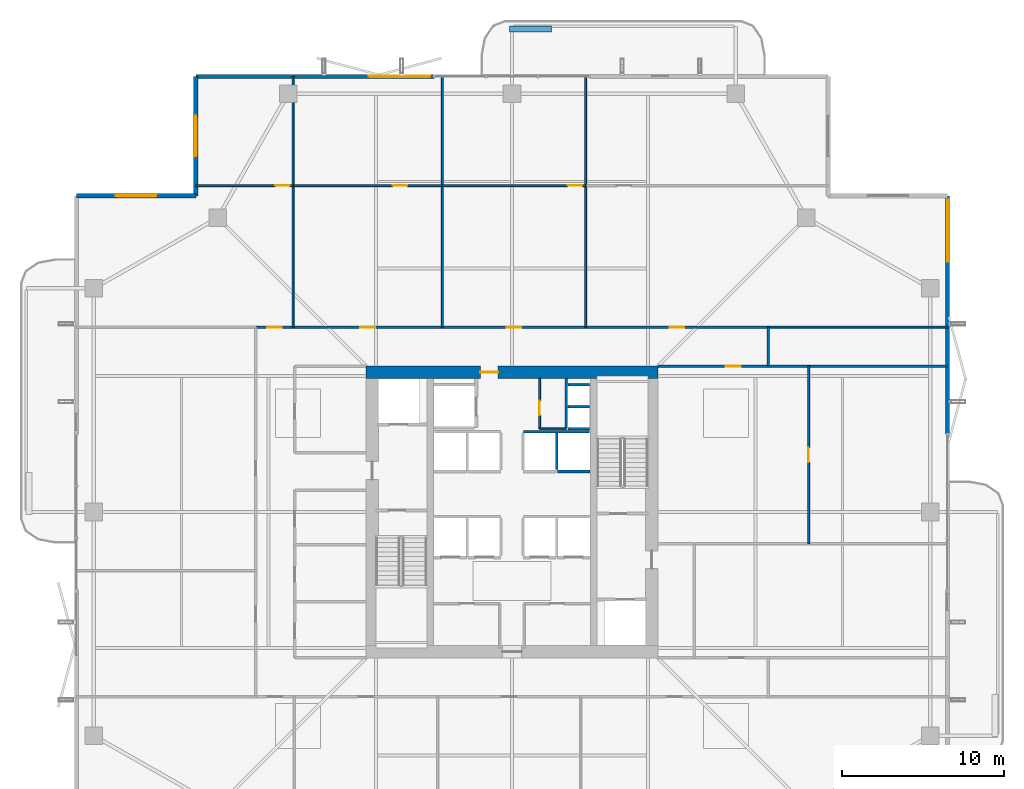
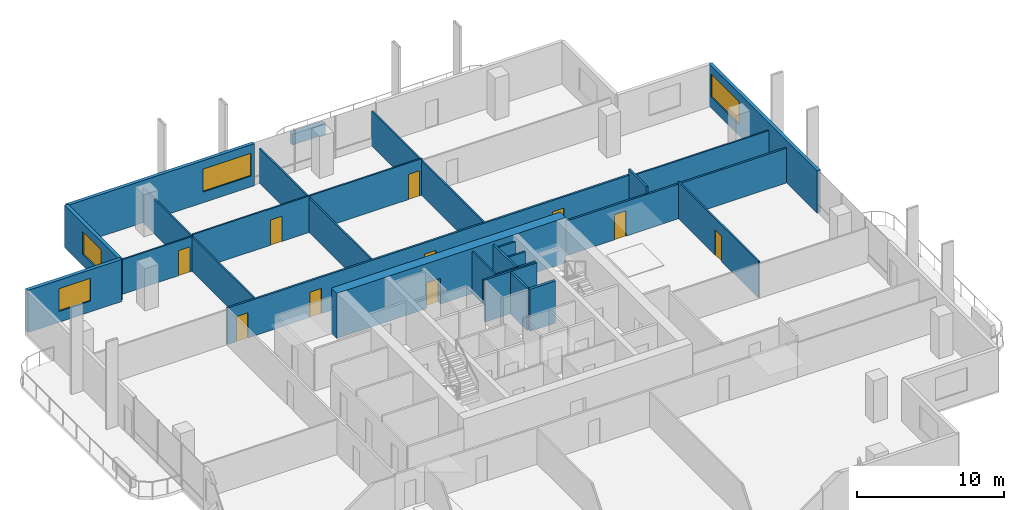
# One storey, part 19 of 24: 26 walls, 11 doors, 4 windows, 15 openings.
"""IFC4 building model written with IfcOpenShell, lengths in metres."""

from ifc_helpers import new_model, si_unit, direction, frame, frame_2d, origin, place, context, subcontext, project, spatial, rectangle, extrude, material, layer, layer_set, type_object, element, fill, save


model = new_model("IFC4")

# Units and contexts
model_context = context("Model", 3, precision=1e-05, world=origin(), true_north=direction((0.0, 1.0)))
body_context = subcontext(model_context, "Body", "Model", "MODEL_VIEW")
ifc_project = project(units=[si_unit("LENGTHUNIT", "METRE"), si_unit("AREAUNIT", "SQUARE_METRE"), si_unit("VOLUMEUNIT", "CUBIC_METRE"), si_unit("PLANEANGLEUNIT", "RADIAN"), si_unit("MASSUNIT", "GRAM", prefix="KILO")], contexts=[model_context])

# Site, building, storey
site_placement = place(None, origin())
site = spatial("IfcSite", under=ifc_project, at=site_placement, CompositionType="ELEMENT")
building_placement = place(site_placement, origin())
building = spatial("IfcBuilding", under=site, at=building_placement, Name="Belovzor Exchange Tower", CompositionType="ELEMENT")
storey_placement = place(building_placement, frame((0.0, 0.0, 218.699951171875)))
storey = spatial("IfcBuildingStorey", under=building, at=storey_placement, Name="L54", CompositionType="ELEMENT", Elevation=218.699951171875)

# Wall, opening, door
ifc_material_1 = material(Name="Acoustic Plasterboard on Galvanised Studs", Category="gypsum")
ifc_layer_1 = layer(ifc_material_1, 0.1201171875)
ifc_layer_set_1 = layer_set([ifc_layer_1], Name="Acoustic Plasterboard on Galvanised Studs")
wall_type_1 = type_object("IfcWallType", Name="Acoustic Double-Stud Partition Wall 120", PredefinedType="PARTITIONING", material=ifc_layer_set_1)
wall_1_placement = place(storey_placement, frame((9.300048828125, 48.93505859375, 0.0), z_axis=(0.0, 0.0, 1.0), x_axis=(1.0, 0.0, 0.0)))
wall_1 = element("IfcWall", 1, at=wall_1_placement, inside=storey, type_object=wall_type_1, Name="W-P120 Partition Wall W-L54-NHDIV-0", PredefinedType="PARTITIONING", context=body_context, shape_type="SweptSolid", body=[
    extrude(rectangle(XDim=6.0, YDim=0.1201171875, at=frame_2d((3.0, 0.0))), origin(), (0.0, 0.0, 1.0), 2.885009765625),
])
opening_1_placement = place(wall_1_placement, frame((4.89990234375, 0.0, 0.0)))
opening_1 = element("IfcOpeningElement", 2, at=opening_1_placement, cuts=wall_1, Name="Opening D-INT-090", PredefinedType="OPENING", context=body_context, shape_type="SweptSolid", body=[
    extrude(rectangle(XDim=0.89990234375, YDim=2.10009765625, at=frame_2d((0.449951171875, 1.050048828125))), frame((0.0, 0.070068359375, 0.0), z_axis=(0.0, -1.0, 0.0), x_axis=(1.0, 0.0, 0.0)), (0.0, 0.0, 1.0), 0.14013671875),
])
ifc_material_2 = material(Name="Veneered Hardwood Acoustic Leaf", Category="wood")
door_type_1 = type_object("IfcDoorType", Name="Trading Suite Acoustic Single Door 900x2100", OperationType="NOTDEFINED", PredefinedType="DOOR", material=ifc_material_2)
door_1_placement = place(opening_1_placement, origin())
door_1 = element("IfcDoor", 3, at=door_1_placement, inside=storey, type_object=door_type_1, Name="D-INT-090 Trading Suite Acoustic Single Door 900x2100", OperationType="SINGLE_SWING_RIGHT", OverallHeight=2.10009765625, OverallWidth=0.89990234375, PredefinedType="DOOR", context=body_context, shape_type="SweptSolid", body=[
    extrude(rectangle(XDim=0.89990234375, YDim=2.10009765625, at=frame_2d((0.449951171875, 1.050048828125))), frame((0.0, 0.02490234375, 0.0), z_axis=(0.0, -1.0, 0.0), x_axis=(1.0, 0.0, 0.0)), (0.0, 0.0, 1.0), 0.050048828125),
])
fill(opening_1, door_1)

# Wall
wall_2_placement = place(storey_placement, frame((15.300048828125, 40.199951171875, 0.0), z_axis=(0.0, 0.0, 1.0), x_axis=(0.0, 1.0, 0.0)))
element("IfcWall", 4, at=wall_2_placement, inside=storey, type_object=wall_type_1, Name="W-P120 Partition Wall W-L54-NDIV-1", PredefinedType="PARTITIONING", context=body_context, shape_type="SweptSolid", body=[
    extrude(rectangle(XDim=15.469970703125, YDim=0.1201171875, at=frame_2d((7.73486328125, 0.0))), origin(), (0.0, 0.0, 1.0), 2.885009765625),
])

# Wall, opening, door
wall_3_placement = place(storey_placement, frame((15.300048828125, 48.93505859375, 0.0), z_axis=(0.0, 0.0, 1.0), x_axis=(1.0, 0.0, 0.0)))
wall_3 = element("IfcWall", 5, at=wall_3_placement, inside=storey, type_object=wall_type_1, Name="W-P120 Partition Wall W-L54-NHDIV-1", PredefinedType="PARTITIONING", context=body_context, shape_type="SweptSolid", body=[
    extrude(rectangle(XDim=9.2080078125, YDim=0.1201171875, at=frame_2d((4.60400390625, 0.0))), origin(), (0.0, 0.0, 1.0), 3.03515625),
])
opening_2_placement = place(wall_3_placement, frame((6.131103515625, 0.0, 0.0)))
opening_2 = element("IfcOpeningElement", 6, at=opening_2_placement, cuts=wall_3, Name="Opening D-INT-090", PredefinedType="OPENING", context=body_context, shape_type="SweptSolid", body=[
    extrude(rectangle(XDim=0.89990234375, YDim=2.10009765625, at=frame_2d((0.449951171875, 1.050048828125))), frame((0.0, 0.070068359375, 0.0), z_axis=(0.0, -1.0, 0.0), x_axis=(1.0, 0.0, 0.0)), (0.0, 0.0, 1.0), 0.14013671875),
])
door_2_placement = place(opening_2_placement, origin())
door_2 = element("IfcDoor", 7, at=door_2_placement, inside=storey, type_object=door_type_1, Name="D-INT-090 Trading Suite Acoustic Single Door 900x2100", OperationType="SINGLE_SWING_RIGHT", OverallHeight=2.10009765625, OverallWidth=0.89990234375, PredefinedType="DOOR", context=body_context, shape_type="SweptSolid", body=[
    extrude(rectangle(XDim=0.89990234375, YDim=2.10009765625, at=frame_2d((0.449951171875, 1.050048828125))), frame((0.0, 0.02490234375, 0.0), z_axis=(0.0, -1.0, 0.0), x_axis=(1.0, 0.0, 0.0)), (0.0, 0.0, 1.0), 0.050048828125),
])
fill(opening_2, door_2)

# Wall
wall_4_placement = place(storey_placement, frame((24.508056640625, 40.199951171875, 0.0), z_axis=(0.0, 0.0, 1.0), x_axis=(0.0, 1.0, 0.0)))
element("IfcWall", 8, at=wall_4_placement, inside=storey, type_object=wall_type_1, Name="W-P120 Partition Wall W-L54-NDIV-2", PredefinedType="PARTITIONING", context=body_context, shape_type="SweptSolid", body=[
    extrude(rectangle(XDim=15.469970703125, YDim=0.1201171875, at=frame_2d((7.73486328125, 0.0))), origin(), (0.0, 0.0, 1.0), 2.885009765625),
])

# Wall, opening, door
wall_5_placement = place(storey_placement, frame((24.508056640625, 48.93505859375, 0.0), z_axis=(0.0, 0.0, 1.0), x_axis=(1.0, 0.0, 0.0)))
wall_5 = element("IfcWall", 9, at=wall_5_placement, inside=storey, type_object=wall_type_1, Name="W-P120 Partition Wall W-L54-NHDIV-2", PredefinedType="PARTITIONING", context=body_context, shape_type="SweptSolid", body=[
    extrude(rectangle(XDim=8.8310546875, YDim=0.1201171875, at=frame_2d((4.41552734375, 0.0))), origin(), (0.0, 0.0, 1.0), 3.03515625),
])
opening_3_placement = place(wall_5_placement, frame((7.73095703125, 0.0, 0.0)))
opening_3 = element("IfcOpeningElement", 10, at=opening_3_placement, cuts=wall_5, Name="Opening D-INT-090", PredefinedType="OPENING", context=body_context, shape_type="SweptSolid", body=[
    extrude(rectangle(XDim=0.89990234375, YDim=2.10009765625, at=frame_2d((0.449951171875, 1.050048828125))), frame((0.0, 0.070068359375, 0.0), z_axis=(0.0, -1.0, 0.0), x_axis=(1.0, 0.0, 0.0)), (0.0, 0.0, 1.0), 0.14013671875),
])
door_3_placement = place(opening_3_placement, origin())
door_3 = element("IfcDoor", 11, at=door_3_placement, inside=storey, type_object=door_type_1, Name="D-INT-090 Trading Suite Acoustic Single Door 900x2100", OperationType="SINGLE_SWING_RIGHT", OverallHeight=2.10009765625, OverallWidth=0.89990234375, PredefinedType="DOOR", context=body_context, shape_type="SweptSolid", body=[
    extrude(rectangle(XDim=0.89990234375, YDim=2.10009765625, at=frame_2d((0.449951171875, 1.050048828125))), frame((0.0, 0.02490234375, 0.0), z_axis=(0.0, -1.0, 0.0), x_axis=(1.0, 0.0, 0.0)), (0.0, 0.0, 1.0), 0.050048828125),
])
fill(opening_3, door_3)

# Wall
wall_6_placement = place(storey_placement, frame((33.339111328125, 40.199951171875, 0.0), z_axis=(0.0, 0.0, 1.0), x_axis=(0.0, 1.0, 0.0)))
element("IfcWall", 12, at=wall_6_placement, inside=storey, type_object=wall_type_1, Name="W-P120 Partition Wall W-L54-NDIV-3", PredefinedType="PARTITIONING", context=body_context, shape_type="SweptSolid", body=[
    extrude(rectangle(XDim=15.469970703125, YDim=0.1201171875, at=frame_2d((7.73486328125, 0.0))), origin(), (0.0, 0.0, 1.0), 2.885009765625),
])

# Wall, opening, door
wall_7_placement = place(storey_placement, frame((47.092041015625, 26.85009765625, 0.0), z_axis=(0.0, 0.0, 1.0), x_axis=(0.0, 1.0, 0.0)))
wall_7 = element("IfcWall", 13, at=wall_7_placement, inside=storey, type_object=wall_type_1, Name="W-P120 Partition Wall W-L54-EHDIV", PredefinedType="PARTITIONING", context=body_context, shape_type="SweptSolid", body=[
    extrude(rectangle(XDim=10.949951171875, YDim=0.1201171875, at=frame_2d((5.47509765625, 0.0))), origin(), (0.0, 0.0, 1.0), 3.03515625),
])
opening_4_placement = place(wall_7_placement, frame((5.02490234375, 0.0, 0.0)))
opening_4 = element("IfcOpeningElement", 14, at=opening_4_placement, cuts=wall_7, Name="Opening D-INT-090", PredefinedType="OPENING", context=body_context, shape_type="SweptSolid", body=[
    extrude(rectangle(XDim=0.89990234375, YDim=2.10009765625, at=frame_2d((0.449951171875, 1.050048828125))), frame((0.0, 0.070068359375, 0.0), z_axis=(0.0, -1.0, 0.0), x_axis=(1.0, 0.0, 0.0)), (0.0, 0.0, 1.0), 0.14013671875),
])
door_4_placement = place(opening_4_placement, origin())
door_4 = element("IfcDoor", 15, at=door_4_placement, inside=storey, type_object=door_type_1, Name="D-INT-090 Trading Suite Acoustic Single Door 900x2100", OperationType="SINGLE_SWING_RIGHT", OverallHeight=2.10009765625, OverallWidth=0.89990234375, PredefinedType="DOOR", context=body_context, shape_type="SweptSolid", body=[
    extrude(rectangle(XDim=0.89990234375, YDim=2.10009765625, at=frame_2d((0.449951171875, 1.050048828125))), frame((0.0, 0.02490234375, 0.0), z_axis=(0.0, -1.0, 0.0), x_axis=(1.0, 0.0, 0.0)), (0.0, 0.0, 1.0), 0.050048828125),
])
fill(opening_4, door_4)

# Wall
wall_8_placement = place(storey_placement, frame((44.60009765625, 40.199951171875, 0.0), z_axis=(0.0, 0.0, 1.0), x_axis=(1.0, 0.0, 0.0)))
element("IfcWall", 16, at=wall_8_placement, inside=storey, type_object=wall_type_1, Name="W-P120 Partition Wall W-L54-END-NE", PredefinedType="PARTITIONING", context=body_context, shape_type="SweptSolid", body=[
    extrude(rectangle(XDim=11.06982421875, YDim=0.1201171875, at=frame_2d((5.534912109375, 0.0))), origin(), (0.0, 0.0, 1.0), 2.885009765625),
])

# Wall, opening, door
ifc_material_3 = material(Name="Fire-Rated Plasterboard on Galvanised Studs", Category="gypsum")
ifc_layer_2 = layer(ifc_material_3, 0.1201171875)
ifc_layer_set_2 = layer_set([ifc_layer_2], Name="Fire-Rated Plasterboard on Galvanised Studs")
wall_type_2 = type_object("IfcWallType", Name="Fire-Rated Double-Stud Partition Wall 120", PredefinedType="PARTITIONING", material=ifc_layer_set_2)
wall_9_placement = place(storey_placement, frame((30.5, 33.925048828125, 0.0), z_axis=(0.0, 0.0, 1.0), x_axis=(0.0, 1.0, 0.0)))
wall_9 = element("IfcWall", 17, at=wall_9_placement, inside=storey, type_object=wall_type_2, Name="W-P120F Partition Wall W-CRV-L54-W", PredefinedType="PARTITIONING", context=body_context, shape_type="SweptSolid", body=[
    extrude(rectangle(XDim=3.125, YDim=0.1201171875, at=frame_2d((1.5625, 0.0))), origin(), (0.0, 0.0, 1.0), 3.5),
])
opening_5_placement = place(wall_9_placement, frame((0.85009765625, 0.0, 0.0)))
opening_5 = element("IfcOpeningElement", 18, at=opening_5_placement, cuts=wall_9, Name="Opening D-FD60-090", PredefinedType="OPENING", context=body_context, shape_type="SweptSolid", body=[
    extrude(rectangle(XDim=0.89990234375, YDim=2.10009765625, at=frame_2d((0.449951171875, 1.050048828125))), frame((0.0, 0.070068359375, 0.0), z_axis=(0.0, -1.0, 0.0), x_axis=(1.0, 0.0, 0.0)), (0.0, 0.0, 1.0), 0.14013671875),
])
ifc_material_4 = material(Name="Acoustic Timber Fire Leaf", Category="wood")
door_type_2 = type_object("IfcDoorType", Name="Core Service & Restroom Fire Door 900x2100", OperationType="NOTDEFINED", PredefinedType="DOOR", material=ifc_material_4)
door_5_placement = place(opening_5_placement, origin())
door_5 = element("IfcDoor", 19, at=door_5_placement, inside=storey, type_object=door_type_2, Name="D-FD60-090 Core Service & Restroom Fire Door 900x2100", OperationType="SINGLE_SWING_LEFT", OverallHeight=2.10009765625, OverallWidth=0.89990234375, PredefinedType="DOOR", context=body_context, shape_type="SweptSolid", body=[
    extrude(rectangle(XDim=0.89990234375, YDim=2.10009765625, at=frame_2d((0.449951171875, 1.050048828125))), frame((0.0, 0.02490234375, 0.0), z_axis=(0.0, -1.0, 0.0), x_axis=(1.0, 0.0, 0.0)), (0.0, 0.0, 1.0), 0.050048828125),
])
fill(opening_5, door_5)

# Walls
wall_10_placement = place(storey_placement, frame((30.5, 33.925048828125, 0.0), z_axis=(0.0, 0.0, 1.0), x_axis=(1.0, 0.0, 0.0)))
element("IfcWall", 20, at=wall_10_placement, inside=storey, type_object=wall_type_2, Name="W-P120F Partition Wall W-CRV-L54-S", PredefinedType="PARTITIONING", context=body_context, shape_type="SweptSolid", body=[
    extrude(rectangle(XDim=1.64990234375, YDim=0.1201171875, at=frame_2d((0.824951171875, 0.0))), origin(), (0.0, 0.0, 1.0), 3.5),
])
ifc_material_5 = material(Name="Fire-Rated Gypsum Block and Mineral Wool", Category="gypsum")
ifc_layer_3 = layer(ifc_material_5, 0.14990234375)
ifc_layer_set_3 = layer_set([ifc_layer_3], Name="Fire-Rated Gypsum Block and Mineral Wool")
wall_type_3 = type_object("IfcWallType", Name="Fire-Rated Gypsum Block Corridor Wall 150", PredefinedType="PARTITIONING", material=ifc_layer_set_3)
wall_11_placement = place(storey_placement, frame((44.60009765625, 37.800048828125, 0.0), z_axis=(0.0, 0.0, 1.0), x_axis=(0.0, 1.0, 0.0)))
element("IfcWall", 21, at=wall_11_placement, inside=storey, type_object=wall_type_3, Name="W-P150 Partition Wall W-L54-END-EN", PredefinedType="PARTITIONING", context=body_context, shape_type="SweptSolid", body=[
    extrude(rectangle(XDim=2.39990234375, YDim=0.14990234375, at=frame_2d((1.199951171875, 0.0))), origin(), (0.0, 0.0, 1.0), 3.5),
])

# Wall, opening, door
wall_12_placement = place(storey_placement, frame((37.800048828125, 37.800048828125, 0.0), z_axis=(0.0, 0.0, 1.0), x_axis=(1.0, 0.0, 0.0)))
wall_12 = element("IfcWall", 22, at=wall_12_placement, inside=storey, type_object=wall_type_3, Name="W-P150 Partition Wall W-L54-CN-IN", PredefinedType="PARTITIONING", context=body_context, shape_type="SweptSolid", body=[
    extrude(rectangle(XDim=17.869873046875, YDim=0.14990234375, at=frame_2d((8.93505859375, 0.0))), origin(), (0.0, 0.0, 1.0), 2.885009765625),
])
opening_6_placement = place(wall_12_placement, frame((4.196044921875, 0.0, 0.0)))
opening_6 = element("IfcOpeningElement", 23, at=opening_6_placement, cuts=wall_12, Name="Opening D-INT-090", PredefinedType="OPENING", context=body_context, shape_type="SweptSolid", body=[
    extrude(rectangle(XDim=0.89990234375, YDim=2.10009765625, at=frame_2d((0.449951171875, 1.050048828125))), frame((0.0, 0.0849609375, 0.0), z_axis=(0.0, -1.0, 0.0), x_axis=(1.0, 0.0, 0.0)), (0.0, 0.0, 1.0), 0.169921875),
])
door_6_placement = place(opening_6_placement, origin())
door_6 = element("IfcDoor", 24, at=door_6_placement, inside=storey, type_object=door_type_1, Name="D-INT-090 Trading Suite Acoustic Single Door 900x2100", OperationType="SINGLE_SWING_RIGHT", OverallHeight=2.10009765625, OverallWidth=0.89990234375, PredefinedType="DOOR", context=body_context, shape_type="SweptSolid", body=[
    extrude(rectangle(XDim=0.89990234375, YDim=2.10009765625, at=frame_2d((0.449951171875, 1.050048828125))), frame((0.0, 0.02490234375, 0.0), z_axis=(0.0, -1.0, 0.0), x_axis=(1.0, 0.0, 0.0)), (0.0, 0.0, 1.0), 0.050048828125),
])
fill(opening_6, door_6)

# Wall, openings, doors
wall_13_placement = place(storey_placement, frame((13.0, 40.199951171875, 0.0), z_axis=(0.0, 0.0, 1.0), x_axis=(1.0, 0.0, 0.0)))
wall_13 = element("IfcWall", 25, at=wall_13_placement, inside=storey, type_object=wall_type_3, Name="W-P150 Partition Wall W-L54-CN", PredefinedType="PARTITIONING", context=body_context, shape_type="SweptSolid", body=[
    extrude(rectangle(XDim=31.60009765625, YDim=0.14990234375, at=frame_2d((15.800048828125, 0.0))), origin(), (0.0, 0.0, 1.0), 3.03515625),
])
opening_7_placement = place(wall_13_placement, frame((0.699951171875, 0.0, 0.0)))
opening_7 = element("IfcOpeningElement", 26, at=opening_7_placement, cuts=wall_13, Name="Opening D-INT-090", PredefinedType="OPENING", context=body_context, shape_type="SweptSolid", body=[
    extrude(rectangle(XDim=0.89990234375, YDim=2.10009765625, at=frame_2d((0.449951171875, 1.050048828125))), frame((0.0, 0.0849609375, 0.0), z_axis=(0.0, -1.0, 0.0), x_axis=(1.0, 0.0, 0.0)), (0.0, 0.0, 1.0), 0.169921875),
])
opening_8_placement = place(wall_13_placement, frame((6.4541015625, 0.0, 0.0)))
opening_8 = element("IfcOpeningElement", 27, at=opening_8_placement, cuts=wall_13, Name="Opening D-INT-090", PredefinedType="OPENING", context=body_context, shape_type="SweptSolid", body=[
    extrude(rectangle(XDim=0.89990234375, YDim=2.10009765625, at=frame_2d((0.449951171875, 1.050048828125))), frame((0.0, 0.0849609375, 0.0), z_axis=(0.0, -1.0, 0.0), x_axis=(1.0, 0.0, 0.0)), (0.0, 0.0, 1.0), 0.169921875),
])
opening_9_placement = place(wall_13_placement, frame((15.472900390625, 0.0, 0.0)))
opening_9 = element("IfcOpeningElement", 28, at=opening_9_placement, cuts=wall_13, Name="Opening D-INT-090", PredefinedType="OPENING", context=body_context, shape_type="SweptSolid", body=[
    extrude(rectangle(XDim=0.89990234375, YDim=2.10009765625, at=frame_2d((0.449951171875, 1.050048828125))), frame((0.0, 0.0849609375, 0.0), z_axis=(0.0, -1.0, 0.0), x_axis=(1.0, 0.0, 0.0)), (0.0, 0.0, 1.0), 0.169921875),
])
opening_10_placement = place(wall_13_placement, frame((25.51904296875, 0.0, 0.0)))
opening_10 = element("IfcOpeningElement", 29, at=opening_10_placement, cuts=wall_13, Name="Opening D-INT-090", PredefinedType="OPENING", context=body_context, shape_type="SweptSolid", body=[
    extrude(rectangle(XDim=0.89990234375, YDim=2.10009765625, at=frame_2d((0.449951171875, 1.050048828125))), frame((0.0, 0.0849609375, 0.0), z_axis=(0.0, -1.0, 0.0), x_axis=(1.0, 0.0, 0.0)), (0.0, 0.0, 1.0), 0.169921875),
])
door_7_placement = place(opening_7_placement, origin())
door_7 = element("IfcDoor", 30, at=door_7_placement, inside=storey, type_object=door_type_1, Name="D-INT-090 Trading Suite Acoustic Single Door 900x2100", OperationType="SINGLE_SWING_RIGHT", OverallHeight=2.10009765625, OverallWidth=0.89990234375, PredefinedType="DOOR", context=body_context, shape_type="SweptSolid", body=[
    extrude(rectangle(XDim=0.89990234375, YDim=2.10009765625, at=frame_2d((0.449951171875, 1.050048828125))), frame((0.0, 0.02490234375, 0.0), z_axis=(0.0, -1.0, 0.0), x_axis=(1.0, 0.0, 0.0)), (0.0, 0.0, 1.0), 0.050048828125),
])
fill(opening_7, door_7)
door_8_placement = place(opening_8_placement, origin())
door_8 = element("IfcDoor", 31, at=door_8_placement, inside=storey, type_object=door_type_1, Name="D-INT-090 Trading Suite Acoustic Single Door 900x2100", OperationType="SINGLE_SWING_LEFT", OverallHeight=2.10009765625, OverallWidth=0.89990234375, PredefinedType="DOOR", context=body_context, shape_type="SweptSolid", body=[
    extrude(rectangle(XDim=0.89990234375, YDim=2.10009765625, at=frame_2d((0.449951171875, 1.050048828125))), frame((0.0, 0.02490234375, 0.0), z_axis=(0.0, -1.0, 0.0), x_axis=(1.0, 0.0, 0.0)), (0.0, 0.0, 1.0), 0.050048828125),
])
fill(opening_8, door_8)
door_9_placement = place(opening_9_placement, origin())
door_9 = element("IfcDoor", 32, at=door_9_placement, inside=storey, type_object=door_type_1, Name="D-INT-090 Trading Suite Acoustic Single Door 900x2100", OperationType="SINGLE_SWING_RIGHT", OverallHeight=2.10009765625, OverallWidth=0.89990234375, PredefinedType="DOOR", context=body_context, shape_type="SweptSolid", body=[
    extrude(rectangle(XDim=0.89990234375, YDim=2.10009765625, at=frame_2d((0.449951171875, 1.050048828125))), frame((0.0, 0.02490234375, 0.0), z_axis=(0.0, -1.0, 0.0), x_axis=(1.0, 0.0, 0.0)), (0.0, 0.0, 1.0), 0.050048828125),
])
fill(opening_9, door_9)
door_10_placement = place(opening_10_placement, origin())
door_10 = element("IfcDoor", 33, at=door_10_placement, inside=storey, type_object=door_type_1, Name="D-INT-090 Trading Suite Acoustic Single Door 900x2100", OperationType="SINGLE_SWING_LEFT", OverallHeight=2.10009765625, OverallWidth=0.89990234375, PredefinedType="DOOR", context=body_context, shape_type="SweptSolid", body=[
    extrude(rectangle(XDim=0.89990234375, YDim=2.10009765625, at=frame_2d((0.449951171875, 1.050048828125))), frame((0.0, 0.02490234375, 0.0), z_axis=(0.0, -1.0, 0.0), x_axis=(1.0, 0.0, 0.0)), (0.0, 0.0, 1.0), 0.050048828125),
])
fill(opening_10, door_10)

# Wall, opening, window
ifc_material_6 = material(Name="Precast concrete C40/50", Category="concrete")
ifc_layer_4 = layer(ifc_material_6, 0.280029296875)
ifc_layer_set_4 = layer_set([ifc_layer_4], Name="Precast concrete C40/50")
wall_type_4 = type_object("IfcWallType", Name="Precast Concrete Notched Corner Frame Wall 280", PredefinedType="SOLIDWALL", material=ifc_layer_set_4)
wall_14_placement = place(storey_placement, frame((1.929931640625, 48.300048828125, 0.0), z_axis=(0.0, 0.0, 1.0), x_axis=(1.0, 0.0, 0.0)))
wall_14 = element("IfcWall", 34, at=wall_14_placement, inside=storey, type_object=wall_type_4, Name="W-CRN280 Precast Concrete Notched Corner Frame Wall 280 L54", PredefinedType="SOLIDWALL", context=body_context, shape_type="SweptSolid", body=[
    extrude(rectangle(XDim=7.3701171875, YDim=0.280029296875, at=frame_2d((3.68505859375, 0.0))), origin(), (0.0, 0.0, 1.0), 3.5),
])
opening_11_placement = place(wall_14_placement, frame((2.43505859375, 0.0, 0.89990234375)))
opening_11 = element("IfcOpeningElement", 35, at=opening_11_placement, cuts=wall_14, Name="Opening WN-CRN250", PredefinedType="OPENING", context=body_context, shape_type="SweptSolid", body=[
    extrude(rectangle(XDim=2.5, YDim=1.89990234375, at=frame_2d((1.25, 0.949951171875))), frame((0.0, 0.14990234375, 0.0), z_axis=(0.0, -1.0, 0.0), x_axis=(1.0, 0.0, 0.0)), (0.0, 0.0, 1.0), 0.300048828125),
])
ifc_material_7 = material(Name="Thermally Broken Aluminium and Triple Glazing", Category="aluminium")
window_type_1 = type_object("IfcWindowType", Name="Streamline Moderne Corner Wrap Ribbon Window 2500x1900", PartitioningType="SINGLE_PANEL", PredefinedType="WINDOW", material=ifc_material_7)
window_1_placement = place(opening_11_placement, origin())
window_1 = element("IfcWindow", 36, at=window_1_placement, inside=storey, type_object=window_type_1, Name="WN-CRN250 Streamline Moderne Corner Wrap Ribbon Window 2500x1900", OverallHeight=1.89990234375, OverallWidth=2.5, PartitioningType="SINGLE_PANEL", PredefinedType="WINDOW", context=body_context, shape_type="SweptSolid", body=[
    extrude(rectangle(XDim=2.5, YDim=1.89990234375, at=frame_2d((1.25, 0.949951171875))), frame((0.0, 0.030029296875, 0.0), z_axis=(0.0, -1.0, 0.0), x_axis=(1.0, 0.0, 0.0)), (0.0, 0.0, 1.0), 0.06005859375),
])
fill(opening_11, window_1)

wall_15_placement = place(storey_placement, frame((9.300048828125, 48.300048828125, 0.0), z_axis=(0.0, 0.0, 1.0), x_axis=(0.0, 1.0, 0.0)))
wall_15 = element("IfcWall", 37, at=wall_15_placement, inside=storey, type_object=wall_type_4, Name="W-CRN280 Precast Concrete Notched Corner Frame Wall 280 L54", PredefinedType="SOLIDWALL", context=body_context, shape_type="SweptSolid", body=[
    extrude(rectangle(XDim=7.369873046875, YDim=0.280029296875, at=frame_2d((3.68505859375, 0.0))), origin(), (0.0, 0.0, 1.0), 3.5),
])
opening_12_placement = place(wall_15_placement, frame((2.43505859375, 0.0, 0.89990234375)))
opening_12 = element("IfcOpeningElement", 38, at=opening_12_placement, cuts=wall_15, Name="Opening WN-CRN250", PredefinedType="OPENING", context=body_context, shape_type="SweptSolid", body=[
    extrude(rectangle(XDim=2.5, YDim=1.89990234375, at=frame_2d((1.25, 0.949951171875))), frame((0.0, 0.14990234375, 0.0), z_axis=(0.0, -1.0, 0.0), x_axis=(1.0, 0.0, 0.0)), (0.0, 0.0, 1.0), 0.300048828125),
])
window_2_placement = place(opening_12_placement, origin())
window_2 = element("IfcWindow", 39, at=window_2_placement, inside=storey, type_object=window_type_1, Name="WN-CRN250 Streamline Moderne Corner Wrap Ribbon Window 2500x1900", OverallHeight=1.89990234375, OverallWidth=2.5, PartitioningType="SINGLE_PANEL", PredefinedType="WINDOW", context=body_context, shape_type="SweptSolid", body=[
    extrude(rectangle(XDim=2.5, YDim=1.89990234375, at=frame_2d((1.25, 0.949951171875))), frame((0.0, 0.030029296875, 0.0), z_axis=(0.0, -1.0, 0.0), x_axis=(1.0, 0.0, 0.0)), (0.0, 0.0, 1.0), 0.06005859375),
])
fill(opening_12, window_2)

ifc_material_8 = material(Name="Precast concrete C40/50", Category="concrete")
ifc_layer_5 = layer(ifc_material_8, 0.260009765625)
ifc_layer_set_5 = layer_set([ifc_layer_5], Name="Precast concrete C40/50")
wall_type_5 = type_object("IfcWallType", Name="Precast Concrete Perimeter Loggia Frame Wall 260", PredefinedType="SOLIDWALL", material=ifc_layer_set_5)
wall_16_placement = place(storey_placement, frame((9.300048828125, 55.669921875, 0.0), z_axis=(0.0, 0.0, 1.0), x_axis=(1.0, 0.0, 0.0)))
wall_16 = element("IfcWall", 40, at=wall_16_placement, inside=storey, type_object=wall_type_5, Name="W-EXT260 Precast Concrete Perimeter Loggia Frame Wall 260 L54", PredefinedType="SOLIDWALL", context=body_context, shape_type="SweptSolid", body=[
    extrude(rectangle(XDim=14.699951171875, YDim=0.260009765625, at=frame_2d((7.35009765625, 0.0))), origin(), (0.0, 0.0, 1.0), 3.5),
])
opening_13_placement = place(wall_16_placement, frame((10.64990234375, 0.0, 0.89990234375)))
opening_13 = element("IfcOpeningElement", 41, at=opening_13_placement, cuts=wall_16, Name="Opening WN-RIB380", PredefinedType="OPENING", context=body_context, shape_type="SweptSolid", body=[
    extrude(rectangle(XDim=3.800048828125, YDim=1.89990234375, at=frame_2d((1.89990234375, 0.949951171875))), frame((0.0, 0.139892578125, 0.0), z_axis=(0.0, -1.0, 0.0), x_axis=(1.0, 0.0, 0.0)), (0.0, 0.0, 1.0), 0.280029296875),
])
ifc_material_9 = material(Name="Thermally Broken Aluminium and Triple Glazing", Category="aluminium")
window_type_2 = type_object("IfcWindowType", Name="Streamline Moderne Horizontal Ribbon Window 3800x1900", PartitioningType="SINGLE_PANEL", PredefinedType="WINDOW", material=ifc_material_9)
window_3_placement = place(opening_13_placement, origin())
window_3 = element("IfcWindow", 42, at=window_3_placement, inside=storey, type_object=window_type_2, Name="WN-RIB380 Streamline Moderne Horizontal Ribbon Window 3800x1900", OverallHeight=1.89990234375, OverallWidth=3.800048828125, PartitioningType="SINGLE_PANEL", PredefinedType="WINDOW", context=body_context, shape_type="SweptSolid", body=[
    extrude(rectangle(XDim=3.800048828125, YDim=1.89990234375, at=frame_2d((1.89990234375, 0.949951171875))), frame((0.0, 0.030029296875, 0.0), z_axis=(0.0, -1.0, 0.0), x_axis=(1.0, 0.0, 0.0)), (0.0, 0.0, 1.0), 0.06005859375),
])
fill(opening_13, window_3)

wall_17_placement = place(storey_placement, frame((55.669921875, 48.300048828125, 0.0), z_axis=(0.0, 0.0, 1.0), x_axis=(0.0, -1.0, 0.0)))
wall_17 = element("IfcWall", 43, at=wall_17_placement, inside=storey, type_object=wall_type_5, Name="W-EXT260 Precast Concrete Perimeter Loggia Frame Wall 260 L54", PredefinedType="SOLIDWALL", context=body_context, shape_type="SweptSolid", body=[
    extrude(rectangle(XDim=14.699951171875, YDim=0.260009765625, at=frame_2d((7.35009765625, 0.0))), origin(), (0.0, 0.0, 1.0), 3.5),
])
opening_14_placement = place(wall_17_placement, frame((0.25, 0.0, 0.89990234375)))
opening_14 = element("IfcOpeningElement", 44, at=opening_14_placement, cuts=wall_17, Name="Opening WN-RIB380", PredefinedType="OPENING", context=body_context, shape_type="SweptSolid", body=[
    extrude(rectangle(XDim=3.800048828125, YDim=1.89990234375, at=frame_2d((1.89990234375, 0.949951171875))), frame((0.0, 0.139892578125, 0.0), z_axis=(0.0, -1.0, 0.0), x_axis=(1.0, 0.0, 0.0)), (0.0, 0.0, 1.0), 0.280029296875),
])
window_4_placement = place(opening_14_placement, origin())
window_4 = element("IfcWindow", 45, at=window_4_placement, inside=storey, type_object=window_type_2, Name="WN-RIB380 Streamline Moderne Horizontal Ribbon Window 3800x1900", OverallHeight=1.89990234375, OverallWidth=3.800048828125, PartitioningType="SINGLE_PANEL", PredefinedType="WINDOW", context=body_context, shape_type="SweptSolid", body=[
    extrude(rectangle(XDim=3.800048828125, YDim=1.89990234375, at=frame_2d((1.89990234375, 0.949951171875))), frame((0.0, 0.030029296875, 0.0), z_axis=(0.0, -1.0, 0.0), x_axis=(1.0, 0.0, 0.0)), (0.0, 0.0, 1.0), 0.06005859375),
])
fill(opening_14, window_4)

# Walls
ifc_material_10 = material(Name="Precast concrete C40/50", Category="concrete")
ifc_layer_6 = layer(ifc_material_10, 0.35009765625)
ifc_layer_set_6 = layer_set([ifc_layer_6], Name="Precast concrete C40/50")
wall_type_6 = type_object("IfcWallType", Name="Precast Concrete Structural Tree Planter Trough 350", PredefinedType="PARAPET", material=ifc_layer_set_6)
wall_18_placement = place(storey_placement, frame((28.64990234375, 58.60009765625, 0.0), z_axis=(0.0, 0.0, 1.0), x_axis=(1.0, 0.0, 0.0)))
element("IfcWall", 46, at=wall_18_placement, inside=storey, type_object=wall_type_6, Name="PT-350 Precast Concrete Structural Tree Planter Trough 350 L54", PredefinedType="PARAPET", context=body_context, shape_type="SweptSolid", body=[
    extrude(rectangle(XDim=2.60009765625, YDim=0.35009765625, at=frame_2d((1.300048828125, 0.0))), origin(), (0.0, 0.0, 1.0), 0.900146484375),
])
ifc_material_11 = material(Name="Concrete C50/60", Category="concrete")
ifc_layer_7 = layer(ifc_material_11, 0.14990234375)
ifc_layer_set_7 = layer_set([ifc_layer_7], Name="Concrete C50/60")
wall_type_7 = type_object("IfcWallType", Name="Reinforced Concrete Core Riser Shear Wall 150", PredefinedType="SHEAR", material=ifc_layer_set_7)
wall_19_placement = place(storey_placement, frame((32.14990234375, 34.0, 0.0), z_axis=(0.0, 0.0, 1.0), x_axis=(0.0, 1.0, 0.0)))
element("IfcWall", 47, at=wall_19_placement, inside=storey, type_object=wall_type_7, Name="W-C150S Core Shaft Wall W-RSR-L54-E", PredefinedType="SHEAR", context=body_context, shape_type="SweptSolid", body=[
    extrude(rectangle(XDim=3.050048828125, YDim=0.14990234375, at=frame_2d((1.52490234375, 0.0))), origin(), (0.0, 0.0, 1.0), 3.5),
])
for number, where, z_axis, x_axis, name in (
    (48, (32.25, 33.925048828125, 0.0), (0.0, 0.0, 1.0), (1.0, 0.0, 0.0), "W-C150S Core Shaft Wall W-RSR-L54-S"),
    (49, (32.25, 35.300048828125, 0.0), (0.0, 0.0, 1.0), (1.0, 0.0, 0.0), "W-C150S Core Shaft Wall W-RSR-L54-M"),
    (50, (32.25, 36.64990234375, 0.0), (0.0, 0.0, 1.0), (1.0, 0.0, 0.0), "W-C150S Core Shaft Wall W-RSR-L54-N"),
):
    element("IfcWall", number, at=place(storey_placement, frame(where, z_axis=z_axis, x_axis=x_axis)), inside=storey, type_object=wall_type_7, Name=name, PredefinedType="SHEAR", context=body_context, shape_type="SweptSolid", body=[
        extrude(rectangle(XDim=1.330078125, YDim=0.14990234375, at=frame_2d((0.6650390625, 0.0))), origin(), (0.0, 0.0, 1.0), 3.5),
    ])
wall_20_placement = place(storey_placement, frame((29.5, 33.760009765625, 0.0), z_axis=(0.0, 0.0, 1.0), x_axis=(1.0, 0.0, 0.0)))
element("IfcWall", 51, at=wall_20_placement, inside=storey, type_object=wall_type_7, Name="W-C150S Core Shaft Wall W-SHB-L54-PLH-NE", PredefinedType="SHEAR", context=body_context, shape_type="SweptSolid", body=[
    extrude(rectangle(XDim=4.080078125, YDim=0.14990234375, at=frame_2d((2.0400390625, 0.0))), origin(), (0.0, 0.0, 1.0), 3.5),
])
wall_21_placement = place(storey_placement, frame((31.550048828125, 31.419921875, 0.0), z_axis=(0.0, 0.0, 1.0), x_axis=(0.0, 1.0, 0.0)))
element("IfcWall", 52, at=wall_21_placement, inside=storey, type_object=wall_type_7, Name="W-C150S Core Shaft Wall W-SHD-L54-PLH-4", PredefinedType="SHEAR", context=body_context, shape_type="SweptSolid", body=[
    extrude(rectangle(XDim=2.239990234375, YDim=0.14990234375, at=frame_2d((1.1201171875, 0.0))), origin(), (0.0, 0.0, 1.0), 3.5),
])
ifc_material_12 = material(Name="Concrete C50/60", Category="concrete")
ifc_layer_8 = layer(ifc_material_12, 0.199951171875)
ifc_layer_set_8 = layer_set([ifc_layer_8], Name="Concrete C50/60")
wall_type_8 = type_object("IfcWallType", Name="Reinforced Concrete Core Shaft Shear Wall 200", PredefinedType="SHEAR", material=ifc_layer_set_8)
wall_22_placement = place(storey_placement, frame((31.60009765625, 31.300048828125, 0.0), z_axis=(0.0, 0.0, 1.0), x_axis=(1.0, 0.0, 0.0)))
element("IfcWall", 53, at=wall_22_placement, inside=storey, type_object=wall_type_8, Name="W-C200S Core Shaft Wall W-SH-L54-PL-H4", PredefinedType="SHEAR", context=body_context, shape_type="SweptSolid", body=[
    extrude(rectangle(XDim=2.0, YDim=0.199951171875, at=frame_2d((1.0, 0.0))), origin(), (0.0, 0.0, 1.0), 3.5),
])

# Wall, opening, door
ifc_material_13 = material(Name="Concrete C50/60", Category="concrete")
ifc_layer_9 = layer(ifc_material_13, 0.75)
ifc_layer_set_9 = layer_set([ifc_layer_9], Name="Concrete C50/60")
wall_type_9 = type_object("IfcWallType", Name="Reinforced Concrete Core Shear Wall 750", PredefinedType="SHEAR", material=ifc_layer_set_9)
wall_23_placement = place(storey_placement, frame((19.800048828125, 37.425048828125, 0.0), z_axis=(0.0, 0.0, 1.0), x_axis=(1.0, 0.0, 0.0)))
wall_23 = element("IfcWall", 54, at=wall_23_placement, inside=storey, type_object=wall_type_9, Name="CW-S075 Core Shear Wall L54 N", PredefinedType="SHEAR", context=body_context, shape_type="SweptSolid", body=[
    extrude(rectangle(XDim=18.0, YDim=0.75, at=frame_2d((9.0, 0.0))), origin(), (0.0, 0.0, 1.0), 3.75),
])
opening_15_placement = place(wall_23_placement, frame((7.050048828125, 0.0, 0.0)))
opening_15 = element("IfcOpeningElement", 55, at=opening_15_placement, cuts=wall_23, Name="Opening D-FD90-110", PredefinedType="OPENING", context=body_context, shape_type="SweptSolid", body=[
    extrude(rectangle(XDim=1.10009765625, YDim=2.14990234375, at=frame_2d((0.550048828125, 1.074951171875))), frame((0.0, 0.385009765625, 0.0), z_axis=(0.0, -1.0, 0.0), x_axis=(1.0, 0.0, 0.0)), (0.0, 0.0, 1.0), 0.77001953125),
])
ifc_material_14 = material(Name="Fire-Rated Galvanised Steel Leaf", Category="steel")
door_type_3 = type_object("IfcDoorType", Name="Protected Escape Vestibule Fire Door 1100x2150", OperationType="NOTDEFINED", PredefinedType="DOOR", material=ifc_material_14)
door_11_placement = place(opening_15_placement, origin())
door_11 = element("IfcDoor", 56, at=door_11_placement, inside=storey, type_object=door_type_3, Name="D-FD90-110 Protected Escape Vestibule Fire Door 1100x2150", OperationType="SINGLE_SWING_RIGHT", OverallHeight=2.14990234375, OverallWidth=1.10009765625, PredefinedType="DOOR", context=body_context, shape_type="SweptSolid", body=[
    extrude(rectangle(XDim=1.10009765625, YDim=2.14990234375, at=frame_2d((0.550048828125, 1.074951171875))), frame((0.0, 0.02490234375, 0.0), z_axis=(0.0, -1.0, 0.0), x_axis=(1.0, 0.0, 0.0)), (0.0, 0.0, 1.0), 0.050048828125),
])
fill(opening_15, door_11)

save(model, "model.ifc")
